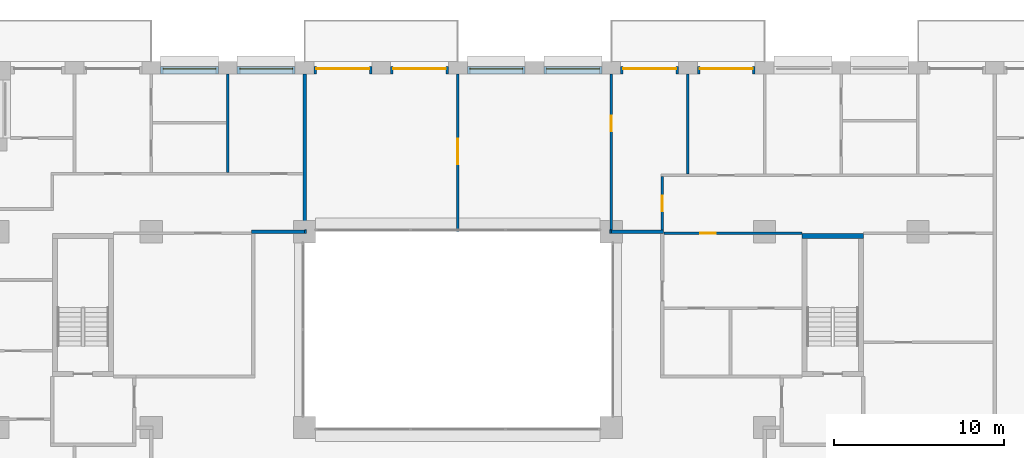
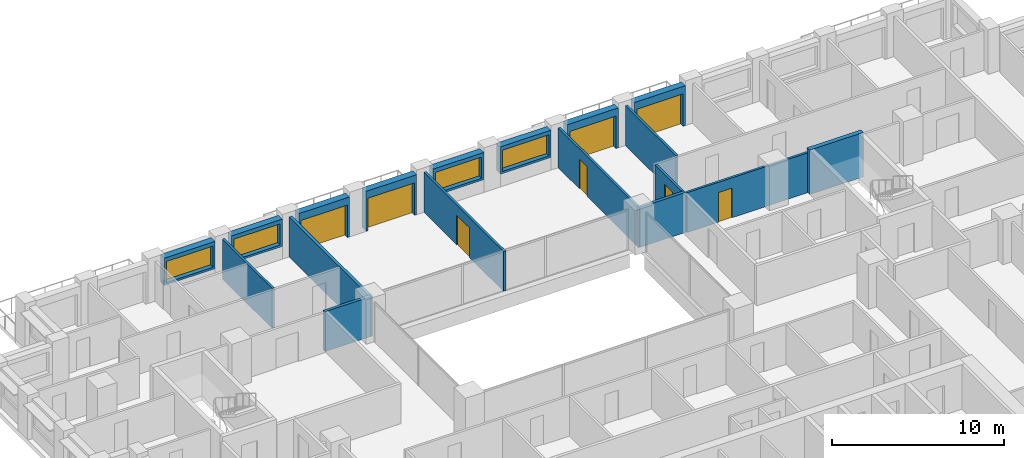
# One storey, part 13 of 16: 20 walls, 8 doors, 4 windows, 12 openings.
"""IFC4 building model written with IfcOpenShell, lengths in metres."""

from ifc_helpers import new_model, si_unit, direction, frame, frame_2d, origin, place, context, subcontext, project, spatial, rectangle, extrude, material, layer, layer_set, type_object, element, fill, save


model = new_model("IFC4")

# Units and contexts
model_context = context("Model", 3, precision=1e-05, world=origin(), true_north=direction((0.0, 1.0)))
body_context = subcontext(model_context, "Body", "Model", "MODEL_VIEW")
ifc_project = project(units=[si_unit("LENGTHUNIT", "METRE"), si_unit("AREAUNIT", "SQUARE_METRE"), si_unit("VOLUMEUNIT", "CUBIC_METRE"), si_unit("PLANEANGLEUNIT", "RADIAN"), si_unit("MASSUNIT", "GRAM", prefix="KILO")], contexts=[model_context])

# Site, building, storey
site_placement = place(None, origin())
site = spatial("IfcSite", under=ifc_project, at=site_placement, CompositionType="ELEMENT")
building_placement = place(site_placement, origin())
building = spatial("IfcBuilding", under=site, at=building_placement, Name="Brigalow Station Residences", CompositionType="ELEMENT")
storey_placement = place(building_placement, frame((0.0, 0.0, 83.550048828125)))
storey = spatial("IfcBuildingStorey", under=building, at=storey_placement, Name="L23", CompositionType="ELEMENT", Elevation=83.550048828125)

# Wall, opening, door
ifc_material_1 = material(Name="Clay brick masonry", Category="masonry")
ifc_layer_1 = layer(ifc_material_1, 0.449951171875)
ifc_layer_set_1 = layer_set([ifc_layer_1], Name="BRICK INFILL WALL 450")
wall_type_1 = type_object("IfcWallType", Name="BRICK INFILL WALL 450", PredefinedType="SOLIDWALL", material=ifc_layer_set_1)
wall_1_placement = place(storey_placement, frame((53.449951171875, 44.97509765625, 0.0), z_axis=(0.0, 0.0, 1.0), x_axis=(-1.0, 0.0, 0.0)))
wall_1 = element("IfcWall", 1, at=wall_1_placement, inside=storey, type_object=wall_type_1, Name="L23/ewall/W-L23-27", PredefinedType="SOLIDWALL", context=body_context, shape_type="SweptSolid", body=[
    extrude(rectangle(XDim=3.39990234375, YDim=0.449951171875, at=frame_2d((1.699951171875, 0.0))), origin(), (0.0, 0.0, 1.0), 2.829833984375),
])
opening_1_placement = place(wall_1_placement, frame((0.14990234375, 0.0, 0.0)))
opening_1 = element("IfcOpeningElement", 2, at=opening_1_placement, cuts=wall_1, Name="Opening D-B3100", PredefinedType="OPENING", context=body_context, shape_type="SweptSolid", body=[
    extrude(rectangle(XDim=3.10009765625, YDim=2.300048828125, at=frame_2d((1.550048828125, 1.14990234375))), frame((0.0, 0.23486328125, 0.0), z_axis=(0.0, -1.0, 0.0), x_axis=(1.0, 0.0, 0.0)), (0.0, 0.0, 1.0), 0.469970703125),
])
ifc_material_2 = material(Name="Anodised aluminium frame with double glazing", Category="aluminium")
door_type_1 = type_object("IfcDoorType", Name="BALCONY SLIDING DOOR 3100x2300", OperationType="SLIDING_TO_LEFT", PredefinedType="DOOR", material=ifc_material_2)
door_1_placement = place(opening_1_placement, origin())
door_1 = element("IfcDoor", 3, at=door_1_placement, inside=storey, type_object=door_type_1, Name="L23/balcony-door/W-L23-27", OperationType="SLIDING_TO_LEFT", OverallHeight=2.300048828125, OverallWidth=3.10009765625, PredefinedType="DOOR", context=body_context, shape_type="SweptSolid", body=[
    extrude(rectangle(XDim=3.10009765625, YDim=2.300048828125, at=frame_2d((1.550048828125, 1.14990234375))), frame((0.0, -0.06982421875, 0.0), z_axis=(0.0, -1.0, 0.0), x_axis=(1.0, 0.0, 0.0)), (0.0, 0.0, 1.0), 0.050048828125),
])
fill(opening_1, door_1)

wall_2_placement = place(storey_placement, frame((48.949951171875, 44.97509765625, 0.0), z_axis=(0.0, 0.0, 1.0), x_axis=(-1.0, 0.0, 0.0)))
wall_2 = element("IfcWall", 4, at=wall_2_placement, inside=storey, type_object=wall_type_1, Name="L23/ewall/W-L23-28", PredefinedType="SOLIDWALL", context=body_context, shape_type="SweptSolid", body=[
    extrude(rectangle(XDim=3.39990234375, YDim=0.449951171875, at=frame_2d((1.699951171875, 0.0))), origin(), (0.0, 0.0, 1.0), 2.829833984375),
])
opening_2_placement = place(wall_2_placement, frame((0.14990234375, 0.0, 0.0)))
opening_2 = element("IfcOpeningElement", 5, at=opening_2_placement, cuts=wall_2, Name="Opening D-B3100", PredefinedType="OPENING", context=body_context, shape_type="SweptSolid", body=[
    extrude(rectangle(XDim=3.10009765625, YDim=2.300048828125, at=frame_2d((1.550048828125, 1.14990234375))), frame((0.0, 0.23486328125, 0.0), z_axis=(0.0, -1.0, 0.0), x_axis=(1.0, 0.0, 0.0)), (0.0, 0.0, 1.0), 0.469970703125),
])
door_2_placement = place(opening_2_placement, origin())
door_2 = element("IfcDoor", 6, at=door_2_placement, inside=storey, type_object=door_type_1, Name="L23/balcony-door/W-L23-28", OperationType="SLIDING_TO_LEFT", OverallHeight=2.300048828125, OverallWidth=3.10009765625, PredefinedType="DOOR", context=body_context, shape_type="SweptSolid", body=[
    extrude(rectangle(XDim=3.10009765625, YDim=2.300048828125, at=frame_2d((1.550048828125, 1.14990234375))), frame((0.0, -0.06982421875, 0.0), z_axis=(0.0, -1.0, 0.0), x_axis=(1.0, 0.0, 0.0)), (0.0, 0.0, 1.0), 0.050048828125),
])
fill(opening_2, door_2)

# Wall, opening, window
wall_3_placement = place(storey_placement, frame((44.449951171875, 44.97509765625, 0.89990234375), z_axis=(0.0, 0.0, 1.0), x_axis=(-1.0, 0.0, 0.0)))
wall_3 = element("IfcWall", 7, at=wall_3_placement, inside=storey, type_object=wall_type_1, Name="L23/ewall/W-L23-29", PredefinedType="SOLIDWALL", context=body_context, shape_type="SweptSolid", body=[
    extrude(rectangle(XDim=3.39990234375, YDim=0.449951171875, at=frame_2d((1.699951171875, 0.0))), origin(), (0.0, 0.0, 1.0), 1.929931640625),
])
opening_3_placement = place(wall_3_placement, frame((0.14990234375, 0.0, 0.14990234375)))
opening_3 = element("IfcOpeningElement", 8, at=opening_3_placement, cuts=wall_3, Name="Opening WT-8", PredefinedType="OPENING", context=body_context, shape_type="SweptSolid", body=[
    extrude(rectangle(XDim=3.10009765625, YDim=1.5, at=frame_2d((1.550048828125, 0.75))), frame((0.0, 0.23486328125, 0.0), z_axis=(0.0, -1.0, 0.0), x_axis=(1.0, 0.0, 0.0)), (0.0, 0.0, 1.0), 0.469970703125),
])
ifc_material_3 = material(Name="Anodised aluminium frame with double glazing", Category="aluminium")
window_type = type_object("IfcWindowType", Name="WINDOW 3100x1500", PartitioningType="SINGLE_PANEL", PredefinedType="WINDOW", material=ifc_material_3)
window_1_placement = place(opening_3_placement, origin())
window_1 = element("IfcWindow", 9, at=window_1_placement, inside=storey, type_object=window_type, Name="L23/window/W-L23-29", OverallHeight=1.5, OverallWidth=3.10009765625, PartitioningType="SINGLE_PANEL", PredefinedType="WINDOW", context=body_context, shape_type="SweptSolid", body=[
    extrude(rectangle(XDim=3.10009765625, YDim=1.5, at=frame_2d((1.550048828125, 0.75))), frame((0.0, -0.06494140625, 0.0), z_axis=(0.0, -1.0, 0.0), x_axis=(1.0, 0.0, 0.0)), (0.0, 0.0, 1.0), 0.06005859375),
])
fill(opening_3, window_1)

wall_4_placement = place(storey_placement, frame((39.949951171875, 44.97509765625, 0.89990234375), z_axis=(0.0, 0.0, 1.0), x_axis=(-1.0, 0.0, 0.0)))
wall_4 = element("IfcWall", 10, at=wall_4_placement, inside=storey, type_object=wall_type_1, Name="L23/ewall/W-L23-30", PredefinedType="SOLIDWALL", context=body_context, shape_type="SweptSolid", body=[
    extrude(rectangle(XDim=3.39990234375, YDim=0.449951171875, at=frame_2d((1.699951171875, 0.0))), origin(), (0.0, 0.0, 1.0), 1.929931640625),
])
opening_4_placement = place(wall_4_placement, frame((0.14990234375, 0.0, 0.14990234375)))
opening_4 = element("IfcOpeningElement", 11, at=opening_4_placement, cuts=wall_4, Name="Opening WT-8", PredefinedType="OPENING", context=body_context, shape_type="SweptSolid", body=[
    extrude(rectangle(XDim=3.10009765625, YDim=1.5, at=frame_2d((1.550048828125, 0.75))), frame((0.0, 0.23486328125, 0.0), z_axis=(0.0, -1.0, 0.0), x_axis=(1.0, 0.0, 0.0)), (0.0, 0.0, 1.0), 0.469970703125),
])
window_2_placement = place(opening_4_placement, origin())
window_2 = element("IfcWindow", 12, at=window_2_placement, inside=storey, type_object=window_type, Name="L23/window/W-L23-30", OverallHeight=1.5, OverallWidth=3.10009765625, PartitioningType="SINGLE_PANEL", PredefinedType="WINDOW", context=body_context, shape_type="SweptSolid", body=[
    extrude(rectangle(XDim=3.10009765625, YDim=1.5, at=frame_2d((1.550048828125, 0.75))), frame((0.0, -0.06494140625, 0.0), z_axis=(0.0, -1.0, 0.0), x_axis=(1.0, 0.0, 0.0)), (0.0, 0.0, 1.0), 0.06005859375),
])
fill(opening_4, window_2)

# Wall, opening, door
wall_5_placement = place(storey_placement, frame((35.449951171875, 44.97509765625, 0.0), z_axis=(0.0, 0.0, 1.0), x_axis=(-1.0, 0.0, 0.0)))
wall_5 = element("IfcWall", 13, at=wall_5_placement, inside=storey, type_object=wall_type_1, Name="L23/ewall/W-L23-31", PredefinedType="SOLIDWALL", context=body_context, shape_type="SweptSolid", body=[
    extrude(rectangle(XDim=3.39990234375, YDim=0.449951171875, at=frame_2d((1.699951171875, 0.0))), origin(), (0.0, 0.0, 1.0), 2.829833984375),
])
opening_5_placement = place(wall_5_placement, frame((0.14990234375, 0.0, 0.0)))
opening_5 = element("IfcOpeningElement", 14, at=opening_5_placement, cuts=wall_5, Name="Opening D-B3100", PredefinedType="OPENING", context=body_context, shape_type="SweptSolid", body=[
    extrude(rectangle(XDim=3.10009765625, YDim=2.300048828125, at=frame_2d((1.550048828125, 1.14990234375))), frame((0.0, 0.23486328125, 0.0), z_axis=(0.0, -1.0, 0.0), x_axis=(1.0, 0.0, 0.0)), (0.0, 0.0, 1.0), 0.469970703125),
])
door_3_placement = place(opening_5_placement, origin())
door_3 = element("IfcDoor", 15, at=door_3_placement, inside=storey, type_object=door_type_1, Name="L23/balcony-door/W-L23-31", OperationType="SLIDING_TO_LEFT", OverallHeight=2.300048828125, OverallWidth=3.10009765625, PredefinedType="DOOR", context=body_context, shape_type="SweptSolid", body=[
    extrude(rectangle(XDim=3.10009765625, YDim=2.300048828125, at=frame_2d((1.550048828125, 1.14990234375))), frame((0.0, -0.06982421875, 0.0), z_axis=(0.0, -1.0, 0.0), x_axis=(1.0, 0.0, 0.0)), (0.0, 0.0, 1.0), 0.050048828125),
])
fill(opening_5, door_3)

wall_6_placement = place(storey_placement, frame((30.949951171875, 44.97509765625, 0.0), z_axis=(0.0, 0.0, 1.0), x_axis=(-1.0, 0.0, 0.0)))
wall_6 = element("IfcWall", 16, at=wall_6_placement, inside=storey, type_object=wall_type_1, Name="L23/ewall/W-L23-32", PredefinedType="SOLIDWALL", context=body_context, shape_type="SweptSolid", body=[
    extrude(rectangle(XDim=3.39990234375, YDim=0.449951171875, at=frame_2d((1.699951171875, 0.0))), origin(), (0.0, 0.0, 1.0), 2.829833984375),
])
opening_6_placement = place(wall_6_placement, frame((0.14990234375, 0.0, 0.0)))
opening_6 = element("IfcOpeningElement", 17, at=opening_6_placement, cuts=wall_6, Name="Opening D-B3100", PredefinedType="OPENING", context=body_context, shape_type="SweptSolid", body=[
    extrude(rectangle(XDim=3.10009765625, YDim=2.300048828125, at=frame_2d((1.550048828125, 1.14990234375))), frame((0.0, 0.23486328125, 0.0), z_axis=(0.0, -1.0, 0.0), x_axis=(1.0, 0.0, 0.0)), (0.0, 0.0, 1.0), 0.469970703125),
])
door_4_placement = place(opening_6_placement, origin())
door_4 = element("IfcDoor", 18, at=door_4_placement, inside=storey, type_object=door_type_1, Name="L23/balcony-door/W-L23-32", OperationType="SLIDING_TO_LEFT", OverallHeight=2.300048828125, OverallWidth=3.10009765625, PredefinedType="DOOR", context=body_context, shape_type="SweptSolid", body=[
    extrude(rectangle(XDim=3.10009765625, YDim=2.300048828125, at=frame_2d((1.550048828125, 1.14990234375))), frame((0.0, -0.06982421875, 0.0), z_axis=(0.0, -1.0, 0.0), x_axis=(1.0, 0.0, 0.0)), (0.0, 0.0, 1.0), 0.050048828125),
])
fill(opening_6, door_4)

# Wall, opening, window
wall_7_placement = place(storey_placement, frame((26.449951171875, 44.97509765625, 0.89990234375), z_axis=(0.0, 0.0, 1.0), x_axis=(-1.0, 0.0, 0.0)))
wall_7 = element("IfcWall", 19, at=wall_7_placement, inside=storey, type_object=wall_type_1, Name="L23/ewall/W-L23-33", PredefinedType="SOLIDWALL", context=body_context, shape_type="SweptSolid", body=[
    extrude(rectangle(XDim=3.39990234375, YDim=0.449951171875, at=frame_2d((1.699951171875, 0.0))), origin(), (0.0, 0.0, 1.0), 1.929931640625),
])
opening_7_placement = place(wall_7_placement, frame((0.14990234375, 0.0, 0.14990234375)))
opening_7 = element("IfcOpeningElement", 20, at=opening_7_placement, cuts=wall_7, Name="Opening WT-8", PredefinedType="OPENING", context=body_context, shape_type="SweptSolid", body=[
    extrude(rectangle(XDim=3.10009765625, YDim=1.5, at=frame_2d((1.550048828125, 0.75))), frame((0.0, 0.23486328125, 0.0), z_axis=(0.0, -1.0, 0.0), x_axis=(1.0, 0.0, 0.0)), (0.0, 0.0, 1.0), 0.469970703125),
])
window_3_placement = place(opening_7_placement, origin())
window_3 = element("IfcWindow", 21, at=window_3_placement, inside=storey, type_object=window_type, Name="L23/window/W-L23-33", OverallHeight=1.5, OverallWidth=3.10009765625, PartitioningType="SINGLE_PANEL", PredefinedType="WINDOW", context=body_context, shape_type="SweptSolid", body=[
    extrude(rectangle(XDim=3.10009765625, YDim=1.5, at=frame_2d((1.550048828125, 0.75))), frame((0.0, -0.06494140625, 0.0), z_axis=(0.0, -1.0, 0.0), x_axis=(1.0, 0.0, 0.0)), (0.0, 0.0, 1.0), 0.06005859375),
])
fill(opening_7, window_3)

wall_8_placement = place(storey_placement, frame((21.949951171875, 44.97509765625, 0.89990234375), z_axis=(0.0, 0.0, 1.0), x_axis=(-1.0, 0.0, 0.0)))
wall_8 = element("IfcWall", 22, at=wall_8_placement, inside=storey, type_object=wall_type_1, Name="L23/ewall/W-L23-34", PredefinedType="SOLIDWALL", context=body_context, shape_type="SweptSolid", body=[
    extrude(rectangle(XDim=3.39990234375, YDim=0.449951171875, at=frame_2d((1.699951171875, 0.0))), origin(), (0.0, 0.0, 1.0), 1.929931640625),
])
opening_8_placement = place(wall_8_placement, frame((0.14990234375, 0.0, 0.14990234375)))
opening_8 = element("IfcOpeningElement", 23, at=opening_8_placement, cuts=wall_8, Name="Opening WT-8", PredefinedType="OPENING", context=body_context, shape_type="SweptSolid", body=[
    extrude(rectangle(XDim=3.10009765625, YDim=1.5, at=frame_2d((1.550048828125, 0.75))), frame((0.0, 0.23486328125, 0.0), z_axis=(0.0, -1.0, 0.0), x_axis=(1.0, 0.0, 0.0)), (0.0, 0.0, 1.0), 0.469970703125),
])
window_4_placement = place(opening_8_placement, origin())
window_4 = element("IfcWindow", 24, at=window_4_placement, inside=storey, type_object=window_type, Name="L23/window/W-L23-34", OverallHeight=1.5, OverallWidth=3.10009765625, PartitioningType="SINGLE_PANEL", PredefinedType="WINDOW", context=body_context, shape_type="SweptSolid", body=[
    extrude(rectangle(XDim=3.10009765625, YDim=1.5, at=frame_2d((1.550048828125, 0.75))), frame((0.0, -0.06494140625, 0.0), z_axis=(0.0, -1.0, 0.0), x_axis=(1.0, 0.0, 0.0)), (0.0, 0.0, 1.0), 0.06005859375),
])
fill(opening_8, window_4)

# Wall
ifc_material_4 = material(Name="Concrete C65", Category="concrete")
ifc_layer_2 = layer(ifc_material_4, 0.300048828125)
ifc_layer_set_2 = layer_set([ifc_layer_2], Name="CORE SHEAR WALL 300 C65")
wall_type_2 = type_object("IfcWallType", Name="CORE SHEAR WALL 300 C65", PredefinedType="SHEAR", material=ifc_layer_set_2)
wall_9_placement = place(storey_placement, frame((56.199951171875, 35.25, 0.0), z_axis=(0.0, 0.0, 1.0), x_axis=(1.0, 0.0, 0.0)))
element("IfcWall", 25, at=wall_9_placement, inside=storey, type_object=wall_type_2, Name="CORE WALL ST-S3-N L23", PredefinedType="SHEAR", context=body_context, shape_type="SweptSolid", body=[
    extrude(rectangle(XDim=3.60009765625, YDim=0.300048828125, at=frame_2d((1.800048828125, 0.0))), origin(), (0.0, 0.0, 1.0), 3.14990234375),
])

# Wall, opening, door
ifc_material_5 = material(Name="Plasterboard on steel stud partition", Category="steel")
ifc_layer_3 = layer(ifc_material_5, 0.14990234375)
ifc_layer_set_3 = layer_set([ifc_layer_3], Name="FLAT PARTITION 150")
wall_type_3 = type_object("IfcWallType", Name="FLAT PARTITION 150", PredefinedType="PARTITIONING", material=ifc_layer_set_3)
wall_10_placement = place(storey_placement, frame((48.10009765625, 35.39990234375, 0.0), z_axis=(0.0, 0.0, 1.0), x_axis=(1.0, 0.0, 0.0)))
wall_10 = element("IfcWall", 26, at=wall_10_placement, inside=storey, type_object=wall_type_3, Name="PW-2A29", PredefinedType="PARTITIONING", context=body_context, shape_type="SweptSolid", body=[
    extrude(rectangle(XDim=8.099853515625, YDim=0.14990234375, at=frame_2d((4.0498046875, 0.0))), origin(), (0.0, 0.0, 1.0), 2.829833984375),
])
opening_9_placement = place(wall_10_placement, frame((2.125, 0.0, 0.0)))
opening_9 = element("IfcOpeningElement", 27, at=opening_9_placement, cuts=wall_10, Name="Opening D-2A23", PredefinedType="OPENING", context=body_context, shape_type="SweptSolid", body=[
    extrude(rectangle(XDim=0.89990234375, YDim=2.10009765625, at=frame_2d((0.449951171875, 1.050048828125))), frame((0.0, 0.0849609375, 0.0), z_axis=(0.0, -1.0, 0.0), x_axis=(1.0, 0.0, 0.0)), (0.0, 0.0, 1.0), 0.169921875),
])
ifc_material_6 = material(Name="Solid-core timber door leaf", Category="wood")
door_type_2 = type_object("IfcDoorType", Name="INTERNAL DOOR 900 x 2100", OperationType="SINGLE_SWING_LEFT", PredefinedType="DOOR", material=ifc_material_6)
door_5_placement = place(opening_9_placement, frame((0.89990234375, 0.0, 0.0), z_axis=(0.0, 0.0, 1.0), x_axis=(-1.0, 0.0, 0.0)))
door_5 = element("IfcDoor", 28, at=door_5_placement, inside=storey, type_object=door_type_2, Name="D-2A23", OperationType="SINGLE_SWING_RIGHT", OverallHeight=2.10009765625, OverallWidth=0.89990234375, PredefinedType="DOOR", context=body_context, shape_type="SweptSolid", body=[
    extrude(rectangle(XDim=0.89990234375, YDim=2.10009765625, at=frame_2d((0.449951171875, 1.050048828125))), frame((0.0, 0.02490234375, 0.0), z_axis=(0.0, -1.0, 0.0), x_axis=(1.0, 0.0, 0.0)), (0.0, 0.0, 1.0), 0.050048828125),
])
fill(opening_9, door_5)

wall_11_placement = place(storey_placement, frame((48.0, 35.60009765625, 0.0), z_axis=(0.0, 0.0, 1.0), x_axis=(0.0, 1.0, 0.0)))
wall_11 = element("IfcWall", 29, at=wall_11_placement, inside=storey, type_object=wall_type_3, Name="PW-2A46", PredefinedType="PARTITIONING", context=body_context, shape_type="SweptSolid", body=[
    extrude(rectangle(XDim=3.125, YDim=0.14990234375, at=frame_2d((1.5625, 0.0))), origin(), (0.0, 0.0, 1.0), 2.829833984375),
])
opening_10_placement = place(wall_11_placement, frame((1.10009765625, 0.0, 0.0)))
opening_10 = element("IfcOpeningElement", 30, at=opening_10_placement, cuts=wall_11, Name="Opening D-2A24", PredefinedType="OPENING", context=body_context, shape_type="SweptSolid", body=[
    extrude(rectangle(XDim=0.89990234375, YDim=2.10009765625, at=frame_2d((0.449951171875, 1.050048828125))), frame((0.0, 0.0849609375, 0.0), z_axis=(0.0, -1.0, 0.0), x_axis=(1.0, 0.0, 0.0)), (0.0, 0.0, 1.0), 0.169921875),
])
door_6_placement = place(opening_10_placement, origin())
door_6 = element("IfcDoor", 31, at=door_6_placement, inside=storey, type_object=door_type_2, Name="D-2A24", OperationType="SINGLE_SWING_LEFT", OverallHeight=2.10009765625, OverallWidth=0.89990234375, PredefinedType="DOOR", context=body_context, shape_type="SweptSolid", body=[
    extrude(rectangle(XDim=0.89990234375, YDim=2.10009765625, at=frame_2d((0.449951171875, 1.050048828125))), frame((0.0, 0.02490234375, 0.0), z_axis=(0.0, -1.0, 0.0), x_axis=(1.0, 0.0, 0.0)), (0.0, 0.0, 1.0), 0.050048828125),
])
fill(opening_10, door_6)

# Wall
wall_12_placement = place(storey_placement, frame((22.5, 38.97509765625, 0.0), z_axis=(0.0, 0.0, 1.0), x_axis=(0.0, 1.0, 0.0)))
element("IfcWall", 32, at=wall_12_placement, inside=storey, type_object=wall_type_3, Name="PW-2A55", PredefinedType="PARTITIONING", context=body_context, shape_type="SweptSolid", body=[
    extrude(rectangle(XDim=5.77490234375, YDim=0.14990234375, at=frame_2d((2.887451171875, 0.0))), origin(), (0.0, 0.0, 1.0), 2.829833984375),
])

# Wall, opening, door
wall_13_placement = place(storey_placement, frame((36.0, 35.5, 0.0), z_axis=(0.0, 0.0, 1.0), x_axis=(0.0, 1.0, 0.0)))
wall_13 = element("IfcWall", 33, at=wall_13_placement, inside=storey, type_object=wall_type_3, Name="PW-2A56", PredefinedType="PARTITIONING", context=body_context, shape_type="SweptSolid", body=[
    extrude(rectangle(XDim=9.25, YDim=0.14990234375, at=frame_2d((4.625, 0.0))), origin(), (0.0, 0.0, 1.0), 2.829833984375),
])
opening_11_placement = place(wall_13_placement, frame((3.949951171875, 0.0, 0.0)))
opening_11 = element("IfcOpeningElement", 34, at=opening_11_placement, cuts=wall_13, Name="Opening D-2A26", PredefinedType="OPENING", context=body_context, shape_type="SweptSolid", body=[
    extrude(rectangle(XDim=1.5, YDim=2.10009765625, at=frame_2d((0.75, 1.050048828125))), frame((0.0, 0.0849609375, 0.0), z_axis=(0.0, -1.0, 0.0), x_axis=(1.0, 0.0, 0.0)), (0.0, 0.0, 1.0), 0.169921875),
])
ifc_material_7 = material(Name="Solid-core timber door leaf", Category="wood")
door_type_3 = type_object("IfcDoorType", Name="INTERNAL DOUBLE DOOR 1500 x 2100", OperationType="DOUBLE_DOOR_SINGLE_SWING", PredefinedType="DOOR", material=ifc_material_7)
door_7_placement = place(opening_11_placement, origin())
door_7 = element("IfcDoor", 35, at=door_7_placement, inside=storey, type_object=door_type_3, Name="D-2A26", OperationType="DOUBLE_DOOR_SINGLE_SWING", OverallHeight=2.10009765625, OverallWidth=1.5, PredefinedType="DOOR", context=body_context, shape_type="SweptSolid", body=[
    extrude(rectangle(XDim=1.5, YDim=2.10009765625, at=frame_2d((0.75, 1.050048828125))), frame((0.0, 0.02490234375, 0.0), z_axis=(0.0, -1.0, 0.0), x_axis=(1.0, 0.0, 0.0)), (0.0, 0.0, 1.0), 0.050048828125),
])
fill(opening_11, door_7)

wall_14_placement = place(storey_placement, frame((45.0, 35.60009765625, 0.0), z_axis=(0.0, 0.0, 1.0), x_axis=(0.0, 1.0, 0.0)))
wall_14 = element("IfcWall", 36, at=wall_14_placement, inside=storey, type_object=wall_type_3, Name="PW-2A57", PredefinedType="PARTITIONING", context=body_context, shape_type="SweptSolid", body=[
    extrude(rectangle(XDim=9.14990234375, YDim=0.14990234375, at=frame_2d((4.574951171875, 0.0))), origin(), (0.0, 0.0, 1.0), 2.829833984375),
])
opening_12_placement = place(wall_14_placement, frame((5.800048828125, 0.0, 0.0)))
opening_12 = element("IfcOpeningElement", 37, at=opening_12_placement, cuts=wall_14, Name="Opening D-2A25", PredefinedType="OPENING", context=body_context, shape_type="SweptSolid", body=[
    extrude(rectangle(XDim=0.89990234375, YDim=2.10009765625, at=frame_2d((0.449951171875, 1.050048828125))), frame((0.0, 0.0849609375, 0.0), z_axis=(0.0, -1.0, 0.0), x_axis=(1.0, 0.0, 0.0)), (0.0, 0.0, 1.0), 0.169921875),
])
door_8_placement = place(opening_12_placement, frame((0.89990234375, 0.0, 0.0), z_axis=(0.0, 0.0, 1.0), x_axis=(-1.0, 0.0, 0.0)))
door_8 = element("IfcDoor", 38, at=door_8_placement, inside=storey, type_object=door_type_2, Name="D-2A25", OperationType="SINGLE_SWING_LEFT", OverallHeight=2.10009765625, OverallWidth=0.89990234375, PredefinedType="DOOR", context=body_context, shape_type="SweptSolid", body=[
    extrude(rectangle(XDim=0.89990234375, YDim=2.10009765625, at=frame_2d((0.449951171875, 1.050048828125))), frame((0.0, 0.02490234375, 0.0), z_axis=(0.0, -1.0, 0.0), x_axis=(1.0, 0.0, 0.0)), (0.0, 0.0, 1.0), 0.050048828125),
])
fill(opening_12, door_8)

# Walls
wall_15_placement = place(storey_placement, frame((49.5, 38.875, 0.0), z_axis=(0.0, 0.0, 1.0), x_axis=(0.0, 1.0, 0.0)))
element("IfcWall", 39, at=wall_15_placement, inside=storey, type_object=wall_type_3, Name="PW-2A58", PredefinedType="PARTITIONING", context=body_context, shape_type="SweptSolid", body=[
    extrude(rectangle(XDim=5.875, YDim=0.14990234375, at=frame_2d((2.9375, 0.0))), origin(), (0.0, 0.0, 1.0), 2.829833984375),
])
ifc_material_8 = material(Name="Plasterboard on steel stud partition", Category="steel")
ifc_layer_4 = layer(ifc_material_8, 0.199951171875)
ifc_layer_set_4 = layer_set([ifc_layer_4], Name="PARTY AND CORRIDOR WALL 200")
wall_type_4 = type_object("IfcWallType", Name="PARTY AND CORRIDOR WALL 200", PredefinedType="PARTITIONING", material=ifc_layer_set_4)
wall_16_placement = place(storey_placement, frame((23.89990234375, 35.5, 0.0), z_axis=(0.0, 0.0, 1.0), x_axis=(1.0, 0.0, 0.0)))
element("IfcWall", 40, at=wall_16_placement, inside=storey, type_object=wall_type_4, Name="PW-2A07", PredefinedType="PARTITIONING", context=body_context, shape_type="SweptSolid", body=[
    extrude(rectangle(XDim=3.10009765625, YDim=0.199951171875, at=frame_2d((1.550048828125, 0.0))), origin(), (0.0, 0.0, 1.0), 2.829833984375),
])
wall_17_placement = place(storey_placement, frame((27.0, 35.5, 0.0), z_axis=(0.0, 0.0, 1.0), x_axis=(1.0, 0.0, 0.0)))
element("IfcWall", 41, at=wall_17_placement, inside=storey, type_object=wall_type_4, Name="PW-2A08", PredefinedType="PARTITIONING", context=body_context, shape_type="SweptSolid", body=[
    extrude(rectangle(XDim=0.10009765625, YDim=0.199951171875, at=frame_2d((0.050048828125, 0.0))), origin(), (0.0, 0.0, 1.0), 2.829833984375),
])
wall_18_placement = place(storey_placement, frame((44.925048828125, 35.5, 0.0), z_axis=(0.0, 0.0, 1.0), x_axis=(1.0, 0.0, 0.0)))
element("IfcWall", 42, at=wall_18_placement, inside=storey, type_object=wall_type_4, Name="PW-2A09", PredefinedType="PARTITIONING", context=body_context, shape_type="SweptSolid", body=[
    extrude(rectangle(XDim=0.074951171875, YDim=0.199951171875, at=frame_2d((0.03759765625, 0.0))), origin(), (0.0, 0.0, 1.0), 2.829833984375),
])
wall_19_placement = place(storey_placement, frame((45.0, 35.5, 0.0), z_axis=(0.0, 0.0, 1.0), x_axis=(1.0, 0.0, 0.0)))
element("IfcWall", 43, at=wall_19_placement, inside=storey, type_object=wall_type_4, Name="PW-2A10", PredefinedType="PARTITIONING", context=body_context, shape_type="SweptSolid", body=[
    extrude(rectangle(XDim=3.074951171875, YDim=0.199951171875, at=frame_2d((1.53759765625, 0.0))), origin(), (0.0, 0.0, 1.0), 2.829833984375),
])
wall_20_placement = place(storey_placement, frame((27.0, 35.60009765625, 0.0), z_axis=(0.0, 0.0, 1.0), x_axis=(0.0, 1.0, 0.0)))
element("IfcWall", 44, at=wall_20_placement, inside=storey, type_object=wall_type_4, Name="PW-2A54", PredefinedType="PARTITIONING", context=body_context, shape_type="SweptSolid", body=[
    extrude(rectangle(XDim=9.14990234375, YDim=0.199951171875, at=frame_2d((4.574951171875, 0.0))), origin(), (0.0, 0.0, 1.0), 2.829833984375),
])

save(model, "model.ifc")
